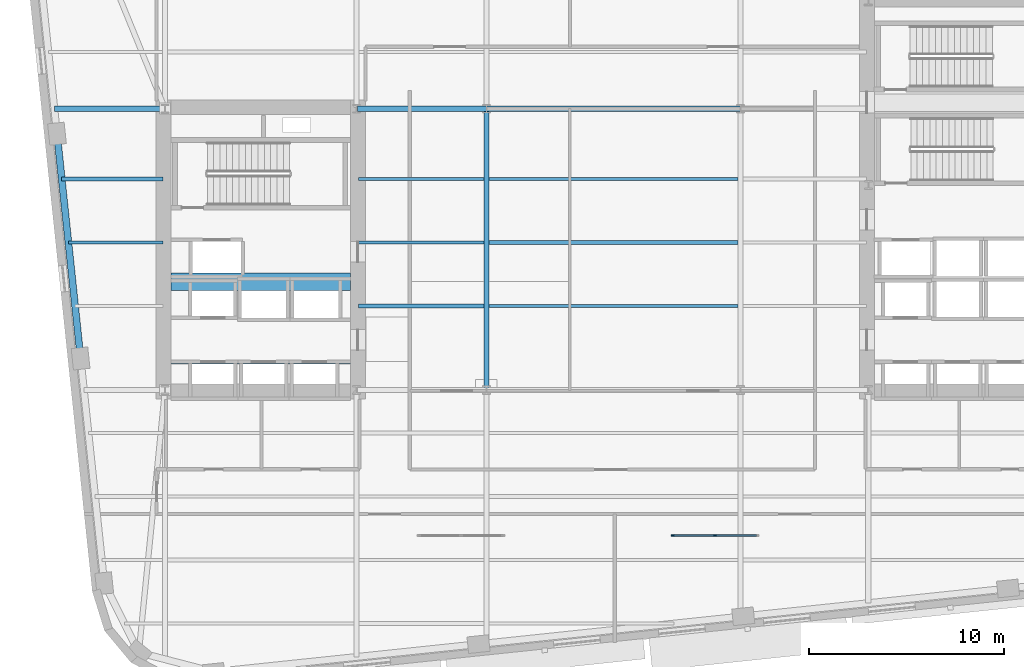
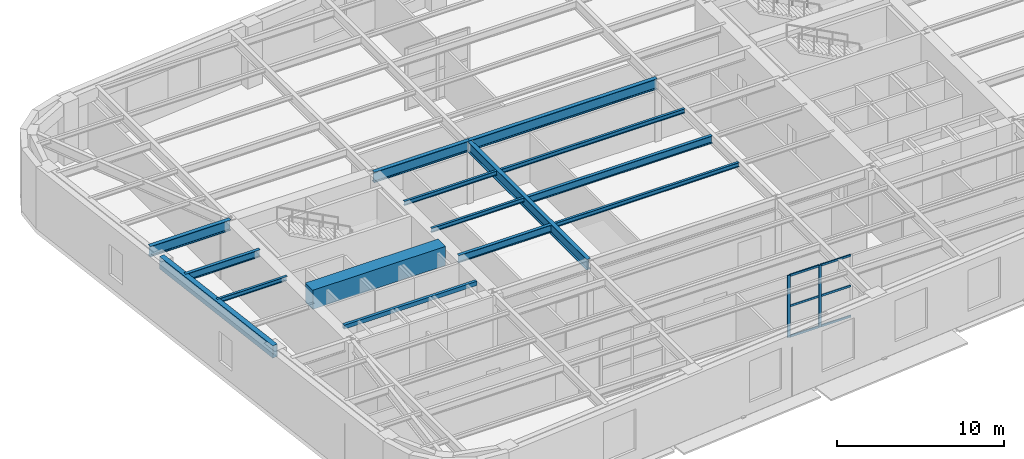
# One storey, part 3 of 14: 15 beams, 8 members, 1 element without a shape of its own.
"""IFC4 building model written with IfcOpenShell, lengths in metres."""

from ifc_helpers import new_model, si_unit, direction, frame, origin, origin_2d, place, context, subcontext, project, spatial, rectangle, hollow_rectangle, i_section, extrude, material, material_profile, profile_set, type_object, element, aggregate, save


model = new_model("IFC4")

# Units and contexts
model_context = context("Model", 3, precision=1e-05, world=origin(), true_north=direction((0.0, 1.0)))
body_context = subcontext(model_context, "Body", "Model", "MODEL_VIEW")
ifc_project = project(units=[si_unit("LENGTHUNIT", "METRE"), si_unit("AREAUNIT", "SQUARE_METRE"), si_unit("VOLUMEUNIT", "CUBIC_METRE"), si_unit("PLANEANGLEUNIT", "RADIAN"), si_unit("MASSUNIT", "GRAM", prefix="KILO")], contexts=[model_context])

# Site, building, storey
site_placement = place(None, origin())
site = spatial("IfcSite", under=ifc_project, at=site_placement, CompositionType="ELEMENT")
building_placement = place(site_placement, origin())
building = spatial("IfcBuilding", under=site, at=building_placement, Name="Kolvaren Arena Tower", CompositionType="ELEMENT")
storey_placement = place(building_placement, frame((0.0, 0.0, 125.949951171875)))
storey = spatial("IfcBuildingStorey", under=building, at=storey_placement, Name="L29", CompositionType="ELEMENT", Elevation=125.949951171875)

# Beams
ifc_material_1 = material(Name="Steel CSA G40.21 350W", Category="steel")
ifc_material_profile_1 = material_profile(ifc_material_1, i_section(OverallWidth=0.2119140625, OverallDepth=0.54296875, WebThickness=0.01318359375, FlangeThickness=0.0244140625, FilletRadius=0.013916015625, at=origin_2d()), Name="W530x150")
ifc_profile_set_1 = profile_set([ifc_material_profile_1], Name="Steel CSA G40.21 350W")
beam_type_1 = type_object("IfcBeamType", Name="BEAM-F1", PredefinedType="BEAM", material=ifc_profile_set_1)
beam_1_placement = place(storey_placement, frame((24.445068359375, 23.75, 4.258544921875), z_axis=(1.0, 0.0, 0.0), x_axis=(0.0, 1.0, 0.0)))
element("IfcBeam", 1, at=beam_1_placement, inside=storey, type_object=beam_type_1, Name="Composite Floor Beam (L29)", PredefinedType="BEAM", context=body_context, shape_type="SweptSolid", body=[
    extrude(i_section(OverallWidth=0.2119140625, OverallDepth=0.54296875, WebThickness=0.01318359375, FlangeThickness=0.0244140625, FilletRadius=0.013916015625, at=origin_2d()), origin(), (0.0, 0.0, 1.0), 6.419921875),
])
beam_2_placement = place(storey_placement, frame((31.135009765625, 27.0, 4.258544921875), z_axis=(1.0, 0.0, 0.0), x_axis=(0.0, 1.0, 0.0)))
element("IfcBeam", 2, at=beam_2_placement, inside=storey, type_object=beam_type_1, Name="Composite Floor Beam (L29)", PredefinedType="BEAM", context=body_context, shape_type="SweptSolid", body=[
    extrude(i_section(OverallWidth=0.2119140625, OverallDepth=0.54296875, WebThickness=0.01318359375, FlangeThickness=0.0244140625, FilletRadius=0.013916015625, at=origin_2d()), origin(), (0.0, 0.0, 1.0), 12.72998046875),
])
beam_3_placement = place(storey_placement, frame((9.2666015625, 30.25, 4.258544921875), z_axis=(1.0, 0.0, 0.0), x_axis=(0.0, 1.0, 0.0)))
element("IfcBeam", 3, at=beam_3_placement, inside=storey, type_object=beam_type_1, Name="Composite Floor Beam (L29)", PredefinedType="BEAM", context=body_context, shape_type="SweptSolid", body=[
    extrude(i_section(OverallWidth=0.2119140625, OverallDepth=0.54296875, WebThickness=0.01318359375, FlangeThickness=0.0244140625, FilletRadius=0.013916015625, at=origin_2d()), origin(), (0.0, 0.0, 1.0), 5.1884765625),
])
ifc_material_2 = material(Name="Concrete 75 MPa", Category="concrete")
ifc_material_profile_2 = material_profile(ifc_material_2, rectangle(XDim=0.89990234375, YDim=1.39990234375, at=origin_2d()), Name="RC-900x1400")
ifc_profile_set_2 = profile_set([ifc_material_profile_2], Name="Concrete 75 MPa")
beam_type_2 = type_object("IfcBeamType", Name="CB-CORE-1", PredefinedType="BEAM", material=ifc_profile_set_2)
beam_4_placement = place(storey_placement, frame((14.85009765625, 25.0, 4.10009765625), z_axis=(1.0, 0.0, 0.0), x_axis=(0.0, 1.0, 0.0)))
element("IfcBeam", 4, at=beam_4_placement, inside=storey, type_object=beam_type_2, Name="West Core Coupling Beam (L29)", PredefinedType="BEAM", context=body_context, shape_type="SweptSolid", body=[
    extrude(rectangle(XDim=0.89990234375, YDim=1.39990234375, at=origin_2d()), origin(), (0.0, 0.0, 1.0), 9.199951171875),
])

# Curtain wall, members
ifc_material_3 = material(Name="Anodised aluminium unitised curtain wall", Category="aluminium")
curtain_wall_type = type_object("IfcCurtainWallType", Name="CW-SYS-03", PredefinedType="USERDEFINED", material=ifc_material_3)
curtain_wall_placement = place(storey_placement, origin())
curtain_wall = element("IfcCurtainWall", 5, at=curtain_wall_placement, inside=storey, type_object=curtain_wall_type, Name="Sky Lobby Feature Curtain Wall (L29)", ObjectType="UNITISED CURTAIN WALL", PredefinedType="USERDEFINED")
ifc_material_4 = material(Name="Anodised aluminium 6063-T6", Category="aluminium")
ifc_material_profile_3 = material_profile(ifc_material_4, rectangle(XDim=0.080078125, YDim=0.179931640625, at=origin_2d()), Name="ALU-80x180")
ifc_profile_set_3 = profile_set([ifc_material_profile_3], Name="Anodised aluminium 6063-T6")
member_type_1 = type_object("IfcMemberType", Name="CWM-STD", PredefinedType="MULLION", material=ifc_profile_set_3)
member_1_placement = place(storey_placement, frame((40.5400390625, 12.0, 0.0), z_axis=(0.0, 0.0, 1.0), x_axis=(0.0, 1.0, 0.0)))
member_1 = element("IfcMember", 6, at=member_1_placement, type_object=member_type_1, Name="CW3 mullion 1", PredefinedType="MULLION", context=body_context, shape_type="SweptSolid", body=[
    extrude(rectangle(XDim=0.080078125, YDim=0.179931640625, at=origin_2d()), origin(), (0.0, 0.0, 1.0), 4.530029296875),
])
member_2_placement = place(storey_placement, frame((42.699951171875, 12.0, 0.0), z_axis=(0.0, 0.0, 1.0), x_axis=(0.0, 1.0, 0.0)))
member_2 = element("IfcMember", 7, at=member_2_placement, type_object=member_type_1, Name="CW3 mullion 2", PredefinedType="MULLION", context=body_context, shape_type="SweptSolid", body=[
    extrude(rectangle(XDim=0.080078125, YDim=0.179931640625, at=origin_2d()), origin(), (0.0, 0.0, 1.0), 4.530029296875),
])
ifc_material_profile_4 = material_profile(ifc_material_4, rectangle(XDim=0.080078125, YDim=0.14990234375, at=origin_2d()), Name="ALU-80x150")
ifc_profile_set_4 = profile_set([ifc_material_profile_4], Name="Anodised aluminium 6063-T6")
member_type_2 = type_object("IfcMemberType", Name="CWT-STD", PredefinedType="USERDEFINED", material=ifc_profile_set_4)
member_3_placement = place(storey_placement, frame((40.580078125, 12.0, 0.0400390625), z_axis=(1.0, 0.0, 0.0), x_axis=(0.0, 1.0, 0.0)))
member_3 = element("IfcMember", 8, at=member_3_placement, type_object=member_type_2, Name="CW3 transom 1.1", ObjectType="TRANSOM", PredefinedType="USERDEFINED", context=body_context, shape_type="SweptSolid", body=[
    extrude(rectangle(XDim=0.080078125, YDim=0.14990234375, at=origin_2d()), origin(), (0.0, 0.0, 1.0), 2.079833984375),
])
member_4_placement = place(storey_placement, frame((40.580078125, 12.0, 2.26513671875), z_axis=(1.0, 0.0, 0.0), x_axis=(0.0, 1.0, 0.0)))
member_4 = element("IfcMember", 9, at=member_4_placement, type_object=member_type_2, Name="CW3 transom 1.2", ObjectType="TRANSOM", PredefinedType="USERDEFINED", context=body_context, shape_type="SweptSolid", body=[
    extrude(rectangle(XDim=0.080078125, YDim=0.14990234375, at=origin_2d()), origin(), (0.0, 0.0, 1.0), 2.079833984375),
])
member_5_placement = place(storey_placement, frame((40.580078125, 12.0, 4.489990234375), z_axis=(1.0, 0.0, 0.0), x_axis=(0.0, 1.0, 0.0)))
member_5 = element("IfcMember", 10, at=member_5_placement, type_object=member_type_2, Name="CW3 transom 1.3", ObjectType="TRANSOM", PredefinedType="USERDEFINED", context=body_context, shape_type="SweptSolid", body=[
    extrude(rectangle(XDim=0.080078125, YDim=0.14990234375, at=origin_2d()), origin(), (0.0, 0.0, 1.0), 2.079833984375),
])
member_6_placement = place(storey_placement, frame((42.739990234375, 12.0, 0.0400390625), z_axis=(1.0, 0.0, 0.0), x_axis=(0.0, 1.0, 0.0)))
member_6 = element("IfcMember", 11, at=member_6_placement, type_object=member_type_2, Name="CW3 transom 2.1", ObjectType="TRANSOM", PredefinedType="USERDEFINED", context=body_context, shape_type="SweptSolid", body=[
    extrude(rectangle(XDim=0.080078125, YDim=0.14990234375, at=origin_2d()), origin(), (0.0, 0.0, 1.0), 2.080078125),
])
member_7_placement = place(storey_placement, frame((42.739990234375, 12.0, 2.26513671875), z_axis=(1.0, 0.0, 0.0), x_axis=(0.0, 1.0, 0.0)))
member_7 = element("IfcMember", 12, at=member_7_placement, type_object=member_type_2, Name="CW3 transom 2.2", ObjectType="TRANSOM", PredefinedType="USERDEFINED", context=body_context, shape_type="SweptSolid", body=[
    extrude(rectangle(XDim=0.080078125, YDim=0.14990234375, at=origin_2d()), origin(), (0.0, 0.0, 1.0), 2.080078125),
])
member_8_placement = place(storey_placement, frame((42.739990234375, 12.0, 4.489990234375), z_axis=(1.0, 0.0, 0.0), x_axis=(0.0, 1.0, 0.0)))
member_8 = element("IfcMember", 13, at=member_8_placement, type_object=member_type_2, Name="CW3 transom 2.3", ObjectType="TRANSOM", PredefinedType="USERDEFINED", context=body_context, shape_type="SweptSolid", body=[
    extrude(rectangle(XDim=0.080078125, YDim=0.14990234375, at=origin_2d()), origin(), (0.0, 0.0, 1.0), 2.080078125),
])
aggregate(curtain_wall, [member_1, member_2, member_3, member_4, member_5, member_6, member_7, member_8])

# Beams
ifc_material_profile_5 = material_profile(ifc_material_1, i_section(OverallWidth=0.27001953125, OverallDepth=0.77294921875, WebThickness=0.019287109375, FlangeThickness=0.033447265625, FilletRadius=0.01806640625, at=origin_2d()), Name="W760x257")
ifc_profile_set_5 = profile_set([ifc_material_profile_5], Name="Steel CSA G40.21 350W")
beam_type_3 = type_object("IfcBeamType", Name="GIRD-T1", PredefinedType="BEAM", material=ifc_profile_set_5)
beam_5_placement = place(storey_placement, frame((8.88818359375, 33.85009765625, 4.1435546875), z_axis=(1.0, 0.0, 0.0), x_axis=(0.0, 1.0, 0.0)))
element("IfcBeam", 14, at=beam_5_placement, inside=storey, type_object=beam_type_3, Name="Primary Floor Girder (L29)", PredefinedType="BEAM", context=body_context, shape_type="SweptSolid", body=[
    extrude(i_section(OverallWidth=0.27001953125, OverallDepth=0.77294921875, WebThickness=0.019287109375, FlangeThickness=0.033447265625, FilletRadius=0.01806640625, at=origin_2d()), origin(), (0.0, 0.0, 1.0), 5.60693359375),
])
beam_6_placement = place(storey_placement, frame((24.405029296875, 33.85009765625, 4.1435546875), z_axis=(1.0, 0.0, 0.0), x_axis=(0.0, 1.0, 0.0)))
element("IfcBeam", 15, at=beam_6_placement, inside=storey, type_object=beam_type_3, Name="Primary Floor Girder (L29)", PredefinedType="BEAM", context=body_context, shape_type="SweptSolid", body=[
    extrude(i_section(OverallWidth=0.27001953125, OverallDepth=0.77294921875, WebThickness=0.019287109375, FlangeThickness=0.033447265625, FilletRadius=0.01806640625, at=origin_2d()), origin(), (0.0, 0.0, 1.0), 6.594970703125),
])
beam_7_placement = place(storey_placement, frame((31.0, 33.85009765625, 4.1435546875), z_axis=(1.0, 0.0, 0.0), x_axis=(0.0, 1.0, 0.0)))
element("IfcBeam", 16, at=beam_7_placement, inside=storey, type_object=beam_type_3, Name="Primary Floor Girder (L29)", PredefinedType="BEAM", context=body_context, shape_type="SweptSolid", body=[
    extrude(i_section(OverallWidth=0.27001953125, OverallDepth=0.77294921875, WebThickness=0.019287109375, FlangeThickness=0.033447265625, FilletRadius=0.01806640625, at=origin_2d()), origin(), (0.0, 0.0, 1.0), 13.0),
])
beam_8_placement = place(storey_placement, frame((31.0, 19.449951171875, 4.1435546875), z_axis=(0.0, 1.0, 0.0), x_axis=(-1.0, 0.0, 0.0)))
element("IfcBeam", 17, at=beam_8_placement, inside=storey, type_object=beam_type_3, Name="Primary Floor Girder (L29)", PredefinedType="BEAM", context=body_context, shape_type="SweptSolid", body=[
    extrude(i_section(OverallWidth=0.27001953125, OverallDepth=0.77294921875, WebThickness=0.019287109375, FlangeThickness=0.033447265625, FilletRadius=0.01806640625, at=origin_2d()), origin(), (0.0, 0.0, 1.0), 14.400146484375),
])
ifc_material_profile_6 = material_profile(ifc_material_1, i_section(OverallWidth=0.1669921875, OverallDepth=0.31689453125, WebThickness=0.007568359375, FlangeThickness=0.01318359375, FilletRadius=0.010009765625, at=origin_2d()), Name="W310x52")
ifc_profile_set_6 = profile_set([ifc_material_profile_6], Name="Steel CSA G40.21 350W")
beam_type_4 = type_object("IfcBeamType", Name="JOIST-02", PredefinedType="JOIST", material=ifc_profile_set_6)
beam_9_placement = place(storey_placement, frame((31.135009765625, 23.75, 4.37158203125), z_axis=(1.0, 0.0, 0.0), x_axis=(0.0, 1.0, 0.0)))
element("IfcBeam", 18, at=beam_9_placement, inside=storey, type_object=beam_type_4, Name="Composite Floor Joist (L29)", PredefinedType="JOIST", context=body_context, shape_type="SweptSolid", body=[
    extrude(i_section(OverallWidth=0.1669921875, OverallDepth=0.31689453125, WebThickness=0.007568359375, FlangeThickness=0.01318359375, FilletRadius=0.010009765625, at=origin_2d()), origin(), (0.0, 0.0, 1.0), 12.72998046875),
])
beam_10_placement = place(storey_placement, frame((9.608154296875, 27.0, 4.37158203125), z_axis=(1.0, 0.0, 0.0), x_axis=(0.0, 1.0, 0.0)))
element("IfcBeam", 19, at=beam_10_placement, inside=storey, type_object=beam_type_4, Name="Composite Floor Joist (L29)", PredefinedType="JOIST", context=body_context, shape_type="SweptSolid", body=[
    extrude(i_section(OverallWidth=0.1669921875, OverallDepth=0.31689453125, WebThickness=0.007568359375, FlangeThickness=0.01318359375, FilletRadius=0.010009765625, at=origin_2d()), origin(), (0.0, 0.0, 1.0), 4.846923828125),
])
for number, where, z_axis, x_axis, name in (
    (20, (24.445068359375, 27.0, 4.37158203125), (1.0, 0.0, 0.0), (0.0, 1.0, 0.0), "Composite Floor Joist (L29)"),
    (21, (24.445068359375, 30.25, 4.37158203125), (1.0, 0.0, 0.0), (0.0, 1.0, 0.0), "Composite Floor Joist (L29)"),
):
    element("IfcBeam", number, at=place(storey_placement, frame(where, z_axis=z_axis, x_axis=x_axis)), inside=storey, type_object=beam_type_4, Name=name, PredefinedType="JOIST", context=body_context, shape_type="SweptSolid", body=[
        extrude(i_section(OverallWidth=0.1669921875, OverallDepth=0.31689453125, WebThickness=0.007568359375, FlangeThickness=0.01318359375, FilletRadius=0.010009765625, at=origin_2d()), origin(), (0.0, 0.0, 1.0), 6.419921875),
    ])
beam_11_placement = place(storey_placement, frame((31.135009765625, 30.25, 4.37158203125), z_axis=(1.0, 0.0, 0.0), x_axis=(0.0, 1.0, 0.0)))
element("IfcBeam", 22, at=beam_11_placement, inside=storey, type_object=beam_type_4, Name="Composite Floor Joist (L29)", PredefinedType="JOIST", context=body_context, shape_type="SweptSolid", body=[
    extrude(i_section(OverallWidth=0.1669921875, OverallDepth=0.31689453125, WebThickness=0.007568359375, FlangeThickness=0.01318359375, FilletRadius=0.010009765625, at=origin_2d()), origin(), (0.0, 0.0, 1.0), 12.72998046875),
])
ifc_material_profile_7 = material_profile(ifc_material_1, hollow_rectangle(XDim=0.199951171875, YDim=0.300048828125, WallThickness=0.011962890625, at=origin_2d()), Name="HSS 300x200x12")
ifc_profile_set_7 = profile_set([ifc_material_profile_7], Name="Steel CSA G40.21 350W")
beam_type_5 = type_object("IfcBeamType", Name="LINT-01", PredefinedType="LINTEL", material=ifc_profile_set_7)
beam_12_placement = place(storey_placement, frame((14.85009765625, 20.8798828125, 4.380126953125), z_axis=(1.0, 0.0, 0.0), x_axis=(0.0, 1.0, 0.0)))
element("IfcBeam", 23, at=beam_12_placement, inside=storey, type_object=beam_type_5, Name="West Lift Lobby Portal Lintel (L29)", PredefinedType="LINTEL", context=body_context, shape_type="SweptSolid", body=[
    extrude(hollow_rectangle(XDim=0.199951171875, YDim=0.300048828125, WallThickness=0.011962890625, at=origin_2d()), origin(), (0.0, 0.0, 1.0), 9.199951171875),
])
ifc_material_5 = material(Name="Steel CSA G40.21 350WT", Category="steel")
ifc_material_profile_8 = material_profile(ifc_material_5, hollow_rectangle(XDim=0.35009765625, YDim=0.89990234375, WallThickness=0.02001953125, at=origin_2d()), Name="HSS 900x350x20")
ifc_profile_set_8 = profile_set([ifc_material_profile_8], Name="Steel CSA G40.21 350WT")
beam_type_6 = type_object("IfcBeamType", Name="SPAND-01", PredefinedType="SPANDREL", material=ifc_profile_set_8)
beam_13_placement = place(storey_placement, frame((9.022705078125, 32.5703125, 4.080078125), z_axis=(0.104522171998, -0.994522556587, 0.0), x_axis=(0.994522556587, 0.104522171998, 0.0)))
element("IfcBeam", 24, at=beam_13_placement, inside=storey, type_object=beam_type_6, Name="Perimeter Spandrel Beam (L29)", PredefinedType="SPANDREL", context=body_context, shape_type="SweptSolid", body=[
    extrude(hollow_rectangle(XDim=0.35009765625, YDim=0.89990234375, WallThickness=0.02001953125, at=origin_2d()), origin(), (0.0, 0.0, 1.0), 11.56689453125),
])

save(model, "model.ifc")
